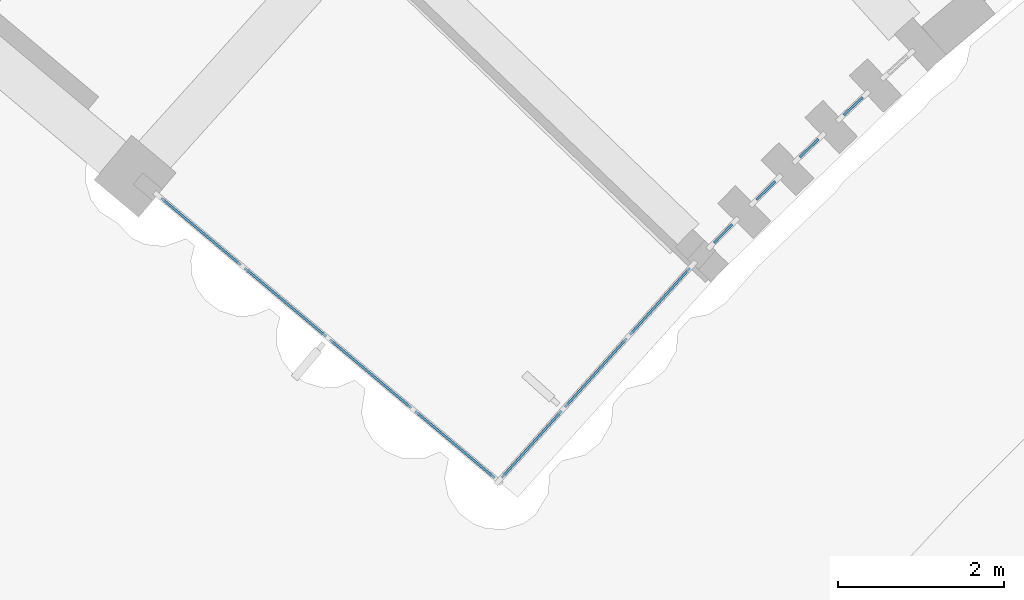
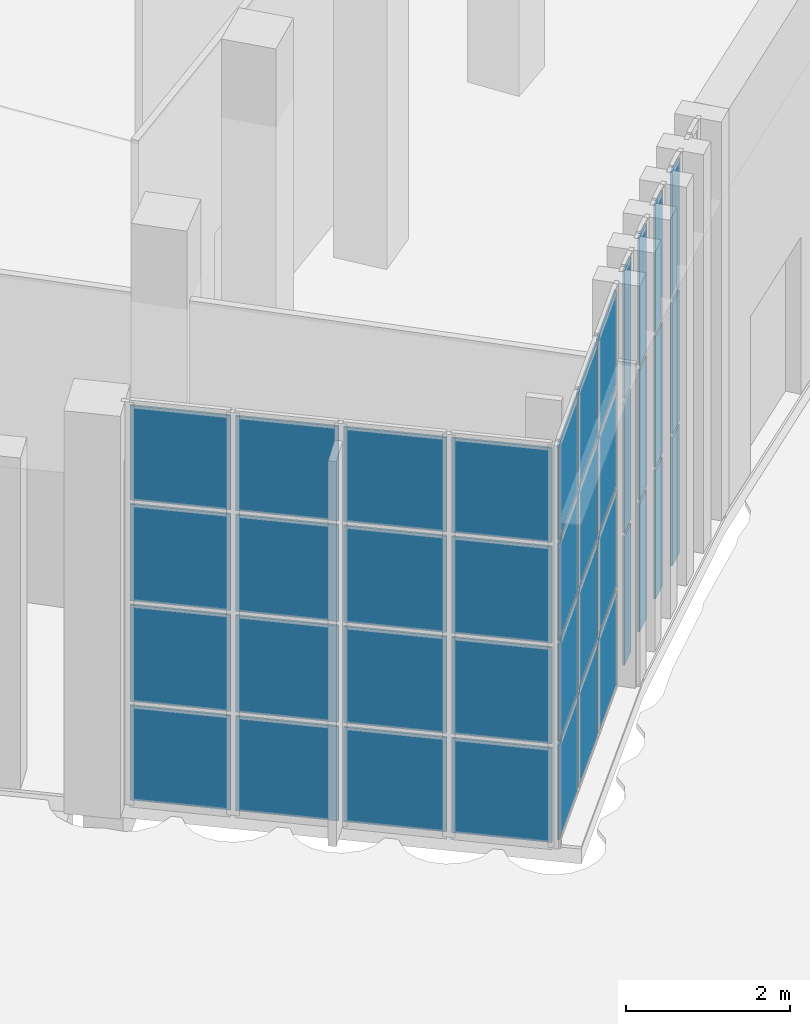
# One storey, part 71 of 155: 40 plates, 6 elements without a shape of their own.
"""IFC4 building model written with IfcOpenShell, lengths in metres."""

from ifc_helpers import new_model, si_unit, direction, frame, origin, origin_2d, place, context, subcontext, project, spatial, rectangle, extrude, material, layer, layer_set, type_object, element, aggregate, save


model = new_model("IFC4")

# Units and contexts
model_context = context("Model", 3, precision=1e-05, world=origin(), true_north=direction((0.0, 1.0)))
body_context = subcontext(model_context, "Body", "Model", "MODEL_VIEW")
ifc_project = project(units=[si_unit("LENGTHUNIT", "METRE"), si_unit("AREAUNIT", "SQUARE_METRE"), si_unit("VOLUMEUNIT", "CUBIC_METRE"), si_unit("PLANEANGLEUNIT", "RADIAN"), si_unit("MASSUNIT", "GRAM", prefix="KILO")], contexts=[model_context])

# Site, building, storey
site_placement = place(None, origin())
site = spatial("IfcSite", under=ifc_project, at=site_placement, CompositionType="ELEMENT")
building_placement = place(site_placement, origin())
building = spatial("IfcBuilding", under=site, at=building_placement, Name="Lunette Opera House", CompositionType="ELEMENT")
storey_placement = place(building_placement, origin())
storey = spatial("IfcBuildingStorey", under=building, at=storey_placement, Name="L00", CompositionType="ELEMENT", Elevation=0.0)

# Curtain wall, plates
ifc_material_1 = material(Name="Aluminium", Category="aluminium")
ifc_layer_1 = layer(ifc_material_1, 0.1201171875)
ifc_layer_set_1 = layer_set([ifc_layer_1], Name="Aluminium")
curtain_wall_type_1 = type_object("IfcCurtainWallType", Name="SLOT CURTAIN WALL", PredefinedType="NOTDEFINED", material=ifc_layer_set_1)
curtain_wall_1_placement = place(storey_placement, origin())
curtain_wall_1 = element("IfcCurtainWall", 1, at=curtain_wall_1_placement, inside=storey, type_object=curtain_wall_type_1, Name="Slot Curtain Wall CS001 L00", PredefinedType="NOTDEFINED")
ifc_material_2 = material(Name="Laminated glass", Category="glass")
ifc_layer_2 = layer(ifc_material_2, 0.028076171875)
ifc_layer_set_2 = layer_set([ifc_layer_2], Name="Laminated glass")
plate_type = type_object("IfcPlateType", Name="CURTAIN PANEL LAMINATED GLASS 28", PredefinedType="CURTAIN_PANEL", material=ifc_layer_set_2)
plate_1_placement = place(storey_placement, frame((58.633544921875, 36.592041015625, 0.06005859375), z_axis=(0.0, 0.0, 1.0), x_axis=(0.698932947796, 0.715187202406, 0.0)))
plate_1 = element("IfcPlate", 2, at=plate_1_placement, type_object=plate_type, Name="FC-X2001 panel 1.1", PredefinedType="CURTAIN_PANEL", context=body_context, shape_type="SweptSolid", body=[
    extrude(rectangle(XDim=0.310546875, YDim=0.028076171875, at=origin_2d()), origin(), (0.0, 0.0, 1.0), 1.909912109375),
])
plate_2_placement = place(storey_placement, frame((58.633544921875, 36.592041015625, 2.030029296875), z_axis=(0.0, 0.0, 1.0), x_axis=(0.698932947796, 0.715187202406, 0.0)))
plate_2 = element("IfcPlate", 3, at=plate_2_placement, type_object=plate_type, Name="FC-X2001 panel 1.2", PredefinedType="CURTAIN_PANEL", context=body_context, shape_type="SweptSolid", body=[
    extrude(rectangle(XDim=0.310546875, YDim=0.028076171875, at=origin_2d()), origin(), (0.0, 0.0, 1.0), 1.93994140625),
])
plate_3_placement = place(storey_placement, frame((58.633544921875, 36.592041015625, 4.0302734375), z_axis=(0.0, 0.0, 1.0), x_axis=(0.698932947796, 0.715187202406, 0.0)))
plate_3 = element("IfcPlate", 4, at=plate_3_placement, type_object=plate_type, Name="FC-X2001 panel 1.3", PredefinedType="CURTAIN_PANEL", context=body_context, shape_type="SweptSolid", body=[
    extrude(rectangle(XDim=0.310546875, YDim=0.028076171875, at=origin_2d()), origin(), (0.0, 0.0, 1.0), 1.909912109375),
])
aggregate(curtain_wall_1, [plate_1, plate_2, plate_3])

curtain_wall_2_placement = place(storey_placement, origin())
curtain_wall_2 = element("IfcCurtainWall", 5, at=curtain_wall_2_placement, inside=storey, type_object=curtain_wall_type_1, Name="Slot Curtain Wall CS002 L00", PredefinedType="NOTDEFINED")
plate_4_placement = place(storey_placement, frame((59.14794921875, 37.110595703125, 0.06005859375), z_axis=(0.0, 0.0, 1.0), x_axis=(0.710581444194, 0.703614959454, 0.0)))
plate_4 = element("IfcPlate", 6, at=plate_4_placement, type_object=plate_type, Name="FC-X2003 panel 1.1", PredefinedType="CURTAIN_PANEL", context=body_context, shape_type="SweptSolid", body=[
    extrude(rectangle(XDim=0.310546875, YDim=0.028076171875, at=origin_2d()), origin(), (0.0, 0.0, 1.0), 1.909912109375),
])
plate_5_placement = place(storey_placement, frame((59.14794921875, 37.110595703125, 2.030029296875), z_axis=(0.0, 0.0, 1.0), x_axis=(0.710581444194, 0.703614959454, 0.0)))
plate_5 = element("IfcPlate", 7, at=plate_5_placement, type_object=plate_type, Name="FC-X2003 panel 1.2", PredefinedType="CURTAIN_PANEL", context=body_context, shape_type="SweptSolid", body=[
    extrude(rectangle(XDim=0.310546875, YDim=0.028076171875, at=origin_2d()), origin(), (0.0, 0.0, 1.0), 1.93994140625),
])
plate_6_placement = place(storey_placement, frame((59.14794921875, 37.110595703125, 4.0302734375), z_axis=(0.0, 0.0, 1.0), x_axis=(0.710581444194, 0.703614959454, 0.0)))
plate_6 = element("IfcPlate", 8, at=plate_6_placement, type_object=plate_type, Name="FC-X2003 panel 1.3", PredefinedType="CURTAIN_PANEL", context=body_context, shape_type="SweptSolid", body=[
    extrude(rectangle(XDim=0.310546875, YDim=0.028076171875, at=origin_2d()), origin(), (0.0, 0.0, 1.0), 1.909912109375),
])
aggregate(curtain_wall_2, [plate_4, plate_5, plate_6])

curtain_wall_3_placement = place(storey_placement, origin())
curtain_wall_3 = element("IfcCurtainWall", 9, at=curtain_wall_3_placement, inside=storey, type_object=curtain_wall_type_1, Name="Slot Curtain Wall CS003 L00", PredefinedType="NOTDEFINED")
plate_7_placement = place(storey_placement, frame((59.66943359375, 37.62158203125, 0.06005859375), z_axis=(0.0, 0.0, 1.0), x_axis=(0.718639631775, 0.695382685751, 0.0)))
plate_7 = element("IfcPlate", 10, at=plate_7_placement, type_object=plate_type, Name="FC-X2005 panel 1.1", PredefinedType="CURTAIN_PANEL", context=body_context, shape_type="SweptSolid", body=[
    extrude(rectangle(XDim=0.31005859375, YDim=0.028076171875, at=origin_2d()), origin(), (0.0, 0.0, 1.0), 1.909912109375),
])
plate_8_placement = place(storey_placement, frame((59.66943359375, 37.62158203125, 2.030029296875), z_axis=(0.0, 0.0, 1.0), x_axis=(0.718639631775, 0.695382685751, 0.0)))
plate_8 = element("IfcPlate", 11, at=plate_8_placement, type_object=plate_type, Name="FC-X2005 panel 1.2", PredefinedType="CURTAIN_PANEL", context=body_context, shape_type="SweptSolid", body=[
    extrude(rectangle(XDim=0.31005859375, YDim=0.028076171875, at=origin_2d()), origin(), (0.0, 0.0, 1.0), 1.93994140625),
])
plate_9_placement = place(storey_placement, frame((59.66943359375, 37.62158203125, 4.0302734375), z_axis=(0.0, 0.0, 1.0), x_axis=(0.718639631775, 0.695382685751, 0.0)))
plate_9 = element("IfcPlate", 12, at=plate_9_placement, type_object=plate_type, Name="FC-X2005 panel 1.3", PredefinedType="CURTAIN_PANEL", context=body_context, shape_type="SweptSolid", body=[
    extrude(rectangle(XDim=0.31005859375, YDim=0.028076171875, at=origin_2d()), origin(), (0.0, 0.0, 1.0), 1.909912109375),
])
aggregate(curtain_wall_3, [plate_7, plate_8, plate_9])

curtain_wall_4_placement = place(storey_placement, origin())
curtain_wall_4 = element("IfcCurtainWall", 13, at=curtain_wall_4_placement, inside=storey, type_object=curtain_wall_type_1, Name="Slot Curtain Wall CS004 L00", PredefinedType="NOTDEFINED")
plate_10_placement = place(storey_placement, frame((60.198486328125, 38.12451171875, 0.06005859375), z_axis=(0.0, 0.0, 1.0), x_axis=(0.727722019527, 0.685872190933, 0.0)))
plate_10 = element("IfcPlate", 14, at=plate_10_placement, type_object=plate_type, Name="FC-X2007 panel 1.1", PredefinedType="CURTAIN_PANEL", context=body_context, shape_type="SweptSolid", body=[
    extrude(rectangle(XDim=0.31005859375, YDim=0.028076171875, at=origin_2d()), origin(), (0.0, 0.0, 1.0), 1.909912109375),
])
plate_11_placement = place(storey_placement, frame((60.198486328125, 38.12451171875, 2.030029296875), z_axis=(0.0, 0.0, 1.0), x_axis=(0.727722019527, 0.685872190933, 0.0)))
plate_11 = element("IfcPlate", 15, at=plate_11_placement, type_object=plate_type, Name="FC-X2007 panel 1.2", PredefinedType="CURTAIN_PANEL", context=body_context, shape_type="SweptSolid", body=[
    extrude(rectangle(XDim=0.31005859375, YDim=0.028076171875, at=origin_2d()), origin(), (0.0, 0.0, 1.0), 1.93994140625),
])
plate_12_placement = place(storey_placement, frame((60.198486328125, 38.12451171875, 4.0302734375), z_axis=(0.0, 0.0, 1.0), x_axis=(0.727722019527, 0.685872190933, 0.0)))
plate_12 = element("IfcPlate", 16, at=plate_12_placement, type_object=plate_type, Name="FC-X2007 panel 1.3", PredefinedType="CURTAIN_PANEL", context=body_context, shape_type="SweptSolid", body=[
    extrude(rectangle(XDim=0.31005859375, YDim=0.028076171875, at=origin_2d()), origin(), (0.0, 0.0, 1.0), 1.909912109375),
])
aggregate(curtain_wall_4, [plate_10, plate_11, plate_12])

ifc_material_3 = material(Name="Aluminium", Category="aluminium")
ifc_layer_3 = layer(ifc_material_3, 0.159912109375)
ifc_layer_set_3 = layer_set([ifc_layer_3], Name="Aluminium")
curtain_wall_type_2 = type_object("IfcCurtainWallType", Name="CORNER CURTAIN WALL", PredefinedType="NOTDEFINED", material=ifc_layer_set_3)
curtain_wall_5_placement = place(storey_placement, origin())
curtain_wall_5 = element("IfcCurtainWall", 17, at=curtain_wall_5_placement, inside=storey, type_object=curtain_wall_type_2, Name="Corner Curtain Wall GC-W1 L00", PredefinedType="NOTDEFINED")
plate_13_placement = place(storey_placement, frame((57.874267578125, 35.777587890625, 0.06005859375), z_axis=(0.0, 0.0, 1.0), x_axis=(-0.667938143615, -0.744216793887, 0.0)))
plate_13 = element("IfcPlate", 18, at=plate_13_placement, type_object=plate_type, Name="FC-X2161 panel 1.1", PredefinedType="CURTAIN_PANEL", context=body_context, shape_type="SweptSolid", body=[
    extrude(rectangle(XDim=1.07666015625, YDim=0.028076171875, at=origin_2d()), origin(), (0.0, 0.0, 1.0), 1.409912109375),
])
plate_14_placement = place(storey_placement, frame((57.874267578125, 35.777587890625, 1.530029296875), z_axis=(0.0, 0.0, 1.0), x_axis=(-0.667938143615, -0.744216793887, 0.0)))
plate_14 = element("IfcPlate", 19, at=plate_14_placement, type_object=plate_type, Name="FC-X2161 panel 1.2", PredefinedType="CURTAIN_PANEL", context=body_context, shape_type="SweptSolid", body=[
    extrude(rectangle(XDim=1.07666015625, YDim=0.028076171875, at=origin_2d()), origin(), (0.0, 0.0, 1.0), 1.43994140625),
])
plate_15_placement = place(storey_placement, frame((57.874267578125, 35.777587890625, 3.030029296875), z_axis=(0.0, 0.0, 1.0), x_axis=(-0.667938143615, -0.744216793887, 0.0)))
plate_15 = element("IfcPlate", 20, at=plate_15_placement, type_object=plate_type, Name="FC-X2161 panel 1.3", PredefinedType="CURTAIN_PANEL", context=body_context, shape_type="SweptSolid", body=[
    extrude(rectangle(XDim=1.07666015625, YDim=0.028076171875, at=origin_2d()), origin(), (0.0, 0.0, 1.0), 1.43994140625),
])
plate_16_placement = place(storey_placement, frame((57.874267578125, 35.777587890625, 4.5302734375), z_axis=(0.0, 0.0, 1.0), x_axis=(-0.667938143615, -0.744216793887, 0.0)))
plate_16 = element("IfcPlate", 21, at=plate_16_placement, type_object=plate_type, Name="FC-X2161 panel 1.4", PredefinedType="CURTAIN_PANEL", context=body_context, shape_type="SweptSolid", body=[
    extrude(rectangle(XDim=1.07666015625, YDim=0.028076171875, at=origin_2d()), origin(), (0.0, 0.0, 1.0), 1.409912109375),
])
plate_17_placement = place(storey_placement, frame((57.10498046875, 34.92041015625, 0.06005859375), z_axis=(0.0, 0.0, 1.0), x_axis=(-0.667938143615, -0.744216793887, 0.0)))
plate_17 = element("IfcPlate", 22, at=plate_17_placement, type_object=plate_type, Name="FC-X2161 panel 2.1", PredefinedType="CURTAIN_PANEL", context=body_context, shape_type="SweptSolid", body=[
    extrude(rectangle(XDim=1.106689453125, YDim=0.028076171875, at=origin_2d()), origin(), (0.0, 0.0, 1.0), 1.409912109375),
])
plate_18_placement = place(storey_placement, frame((57.10498046875, 34.92041015625, 1.530029296875), z_axis=(0.0, 0.0, 1.0), x_axis=(-0.667938143615, -0.744216793887, 0.0)))
plate_18 = element("IfcPlate", 23, at=plate_18_placement, type_object=plate_type, Name="FC-X2161 panel 2.2", PredefinedType="CURTAIN_PANEL", context=body_context, shape_type="SweptSolid", body=[
    extrude(rectangle(XDim=1.106689453125, YDim=0.028076171875, at=origin_2d()), origin(), (0.0, 0.0, 1.0), 1.43994140625),
])
plate_19_placement = place(storey_placement, frame((57.10498046875, 34.92041015625, 3.030029296875), z_axis=(0.0, 0.0, 1.0), x_axis=(-0.667938143615, -0.744216793887, 0.0)))
plate_19 = element("IfcPlate", 24, at=plate_19_placement, type_object=plate_type, Name="FC-X2161 panel 2.3", PredefinedType="CURTAIN_PANEL", context=body_context, shape_type="SweptSolid", body=[
    extrude(rectangle(XDim=1.106689453125, YDim=0.028076171875, at=origin_2d()), origin(), (0.0, 0.0, 1.0), 1.43994140625),
])
plate_20_placement = place(storey_placement, frame((57.10498046875, 34.92041015625, 4.5302734375), z_axis=(0.0, 0.0, 1.0), x_axis=(-0.667938143615, -0.744216793887, 0.0)))
plate_20 = element("IfcPlate", 25, at=plate_20_placement, type_object=plate_type, Name="FC-X2161 panel 2.4", PredefinedType="CURTAIN_PANEL", context=body_context, shape_type="SweptSolid", body=[
    extrude(rectangle(XDim=1.106689453125, YDim=0.028076171875, at=origin_2d()), origin(), (0.0, 0.0, 1.0), 1.409912109375),
])
plate_21_placement = place(storey_placement, frame((56.335693359375, 34.063232421875, 0.06005859375), z_axis=(0.0, 0.0, 1.0), x_axis=(-0.667938143615, -0.744216793887, 0.0)))
plate_21 = element("IfcPlate", 26, at=plate_21_placement, type_object=plate_type, Name="FC-X2161 panel 3.1", PredefinedType="CURTAIN_PANEL", context=body_context, shape_type="SweptSolid", body=[
    extrude(rectangle(XDim=1.07666015625, YDim=0.028076171875, at=origin_2d()), origin(), (0.0, 0.0, 1.0), 1.409912109375),
])
plate_22_placement = place(storey_placement, frame((56.335693359375, 34.063232421875, 1.530029296875), z_axis=(0.0, 0.0, 1.0), x_axis=(-0.667938143615, -0.744216793887, 0.0)))
plate_22 = element("IfcPlate", 27, at=plate_22_placement, type_object=plate_type, Name="FC-X2161 panel 3.2", PredefinedType="CURTAIN_PANEL", context=body_context, shape_type="SweptSolid", body=[
    extrude(rectangle(XDim=1.07666015625, YDim=0.028076171875, at=origin_2d()), origin(), (0.0, 0.0, 1.0), 1.43994140625),
])
plate_23_placement = place(storey_placement, frame((56.335693359375, 34.063232421875, 3.030029296875), z_axis=(0.0, 0.0, 1.0), x_axis=(-0.667938143615, -0.744216793887, 0.0)))
plate_23 = element("IfcPlate", 28, at=plate_23_placement, type_object=plate_type, Name="FC-X2161 panel 3.3", PredefinedType="CURTAIN_PANEL", context=body_context, shape_type="SweptSolid", body=[
    extrude(rectangle(XDim=1.07666015625, YDim=0.028076171875, at=origin_2d()), origin(), (0.0, 0.0, 1.0), 1.43994140625),
])
plate_24_placement = place(storey_placement, frame((56.335693359375, 34.063232421875, 4.5302734375), z_axis=(0.0, 0.0, 1.0), x_axis=(-0.667938143615, -0.744216793887, 0.0)))
plate_24 = element("IfcPlate", 29, at=plate_24_placement, type_object=plate_type, Name="FC-X2161 panel 3.4", PredefinedType="CURTAIN_PANEL", context=body_context, shape_type="SweptSolid", body=[
    extrude(rectangle(XDim=1.07666015625, YDim=0.028076171875, at=origin_2d()), origin(), (0.0, 0.0, 1.0), 1.409912109375),
])
aggregate(curtain_wall_5, [plate_13, plate_14, plate_15, plate_16, plate_17, plate_18, plate_19, plate_20, plate_21, plate_22, plate_23, plate_24])

curtain_wall_6_placement = place(storey_placement, origin())
curtain_wall_6 = element("IfcCurtainWall", 30, at=curtain_wall_6_placement, inside=storey, type_object=curtain_wall_type_2, Name="Corner Curtain Wall GC-W2 L00", PredefinedType="NOTDEFINED")
plate_25_placement = place(storey_placement, frame((55.412353515625, 34.0576171875, 0.06005859375), z_axis=(0.0, 0.0, 1.0), x_axis=(-0.766010413212, 0.64282816277, 0.0)))
plate_25 = element("IfcPlate", 31, at=plate_25_placement, type_object=plate_type, Name="FC-X2162 panel 1.1", PredefinedType="CURTAIN_PANEL", context=body_context, shape_type="SweptSolid", body=[
    extrude(rectangle(XDim=1.24755859375, YDim=0.028076171875, at=origin_2d()), origin(), (0.0, 0.0, 1.0), 1.409912109375),
])
plate_26_placement = place(storey_placement, frame((55.412353515625, 34.0576171875, 1.530029296875), z_axis=(0.0, 0.0, 1.0), x_axis=(-0.766010413212, 0.64282816277, 0.0)))
plate_26 = element("IfcPlate", 32, at=plate_26_placement, type_object=plate_type, Name="FC-X2162 panel 1.2", PredefinedType="CURTAIN_PANEL", context=body_context, shape_type="SweptSolid", body=[
    extrude(rectangle(XDim=1.24755859375, YDim=0.028076171875, at=origin_2d()), origin(), (0.0, 0.0, 1.0), 1.43994140625),
])
plate_27_placement = place(storey_placement, frame((55.412353515625, 34.0576171875, 3.030029296875), z_axis=(0.0, 0.0, 1.0), x_axis=(-0.766010413212, 0.64282816277, 0.0)))
plate_27 = element("IfcPlate", 33, at=plate_27_placement, type_object=plate_type, Name="FC-X2162 panel 1.3", PredefinedType="CURTAIN_PANEL", context=body_context, shape_type="SweptSolid", body=[
    extrude(rectangle(XDim=1.24755859375, YDim=0.028076171875, at=origin_2d()), origin(), (0.0, 0.0, 1.0), 1.43994140625),
])
plate_28_placement = place(storey_placement, frame((55.412353515625, 34.0576171875, 4.5302734375), z_axis=(0.0, 0.0, 1.0), x_axis=(-0.766010413212, 0.64282816277, 0.0)))
plate_28 = element("IfcPlate", 34, at=plate_28_placement, type_object=plate_type, Name="FC-X2162 panel 1.4", PredefinedType="CURTAIN_PANEL", context=body_context, shape_type="SweptSolid", body=[
    extrude(rectangle(XDim=1.24755859375, YDim=0.028076171875, at=origin_2d()), origin(), (0.0, 0.0, 1.0), 1.409912109375),
])
plate_29_placement = place(storey_placement, frame((54.399169921875, 34.90771484375, 0.06005859375), z_axis=(0.0, 0.0, 1.0), x_axis=(-0.766010413212, 0.64282816277, 0.0)))
plate_29 = element("IfcPlate", 35, at=plate_29_placement, type_object=plate_type, Name="FC-X2162 panel 2.1", PredefinedType="CURTAIN_PANEL", context=body_context, shape_type="SweptSolid", body=[
    extrude(rectangle(XDim=1.27734375, YDim=0.028076171875, at=origin_2d()), origin(), (0.0, 0.0, 1.0), 1.409912109375),
])
plate_30_placement = place(storey_placement, frame((54.399169921875, 34.90771484375, 1.530029296875), z_axis=(0.0, 0.0, 1.0), x_axis=(-0.766010413212, 0.64282816277, 0.0)))
plate_30 = element("IfcPlate", 36, at=plate_30_placement, type_object=plate_type, Name="FC-X2162 panel 2.2", PredefinedType="CURTAIN_PANEL", context=body_context, shape_type="SweptSolid", body=[
    extrude(rectangle(XDim=1.27734375, YDim=0.028076171875, at=origin_2d()), origin(), (0.0, 0.0, 1.0), 1.43994140625),
])
plate_31_placement = place(storey_placement, frame((54.399169921875, 34.90771484375, 3.030029296875), z_axis=(0.0, 0.0, 1.0), x_axis=(-0.766010413212, 0.64282816277, 0.0)))
plate_31 = element("IfcPlate", 37, at=plate_31_placement, type_object=plate_type, Name="FC-X2162 panel 2.3", PredefinedType="CURTAIN_PANEL", context=body_context, shape_type="SweptSolid", body=[
    extrude(rectangle(XDim=1.27734375, YDim=0.028076171875, at=origin_2d()), origin(), (0.0, 0.0, 1.0), 1.43994140625),
])
plate_32_placement = place(storey_placement, frame((54.399169921875, 34.90771484375, 4.5302734375), z_axis=(0.0, 0.0, 1.0), x_axis=(-0.766010413212, 0.64282816277, 0.0)))
plate_32 = element("IfcPlate", 38, at=plate_32_placement, type_object=plate_type, Name="FC-X2162 panel 2.4", PredefinedType="CURTAIN_PANEL", context=body_context, shape_type="SweptSolid", body=[
    extrude(rectangle(XDim=1.27734375, YDim=0.028076171875, at=origin_2d()), origin(), (0.0, 0.0, 1.0), 1.409912109375),
])
plate_33_placement = place(storey_placement, frame((53.374755859375, 35.767333984375, 0.06005859375), z_axis=(0.0, 0.0, 1.0), x_axis=(-0.766010413212, 0.64282816277, 0.0)))
plate_33 = element("IfcPlate", 39, at=plate_33_placement, type_object=plate_type, Name="FC-X2162 panel 3.1", PredefinedType="CURTAIN_PANEL", context=body_context, shape_type="SweptSolid", body=[
    extrude(rectangle(XDim=1.27734375, YDim=0.028076171875, at=origin_2d()), origin(), (0.0, 0.0, 1.0), 1.409912109375),
])
plate_34_placement = place(storey_placement, frame((53.374755859375, 35.767333984375, 1.530029296875), z_axis=(0.0, 0.0, 1.0), x_axis=(-0.766010413212, 0.64282816277, 0.0)))
plate_34 = element("IfcPlate", 40, at=plate_34_placement, type_object=plate_type, Name="FC-X2162 panel 3.2", PredefinedType="CURTAIN_PANEL", context=body_context, shape_type="SweptSolid", body=[
    extrude(rectangle(XDim=1.27734375, YDim=0.028076171875, at=origin_2d()), origin(), (0.0, 0.0, 1.0), 1.43994140625),
])
plate_35_placement = place(storey_placement, frame((53.374755859375, 35.767333984375, 3.030029296875), z_axis=(0.0, 0.0, 1.0), x_axis=(-0.766010413212, 0.64282816277, 0.0)))
plate_35 = element("IfcPlate", 41, at=plate_35_placement, type_object=plate_type, Name="FC-X2162 panel 3.3", PredefinedType="CURTAIN_PANEL", context=body_context, shape_type="SweptSolid", body=[
    extrude(rectangle(XDim=1.27734375, YDim=0.028076171875, at=origin_2d()), origin(), (0.0, 0.0, 1.0), 1.43994140625),
])
plate_36_placement = place(storey_placement, frame((53.374755859375, 35.767333984375, 4.5302734375), z_axis=(0.0, 0.0, 1.0), x_axis=(-0.766010413212, 0.64282816277, 0.0)))
plate_36 = element("IfcPlate", 42, at=plate_36_placement, type_object=plate_type, Name="FC-X2162 panel 3.4", PredefinedType="CURTAIN_PANEL", context=body_context, shape_type="SweptSolid", body=[
    extrude(rectangle(XDim=1.27734375, YDim=0.028076171875, at=origin_2d()), origin(), (0.0, 0.0, 1.0), 1.409912109375),
])
plate_37_placement = place(storey_placement, frame((52.36181640625, 36.617431640625, 0.06005859375), z_axis=(0.0, 0.0, 1.0), x_axis=(-0.766010413212, 0.64282816277, 0.0)))
plate_37 = element("IfcPlate", 43, at=plate_37_placement, type_object=plate_type, Name="FC-X2162 panel 4.1", PredefinedType="CURTAIN_PANEL", context=body_context, shape_type="SweptSolid", body=[
    extrude(rectangle(XDim=1.24755859375, YDim=0.028076171875, at=origin_2d()), origin(), (0.0, 0.0, 1.0), 1.409912109375),
])
plate_38_placement = place(storey_placement, frame((52.36181640625, 36.617431640625, 1.530029296875), z_axis=(0.0, 0.0, 1.0), x_axis=(-0.766010413212, 0.64282816277, 0.0)))
plate_38 = element("IfcPlate", 44, at=plate_38_placement, type_object=plate_type, Name="FC-X2162 panel 4.2", PredefinedType="CURTAIN_PANEL", context=body_context, shape_type="SweptSolid", body=[
    extrude(rectangle(XDim=1.24755859375, YDim=0.028076171875, at=origin_2d()), origin(), (0.0, 0.0, 1.0), 1.43994140625),
])
plate_39_placement = place(storey_placement, frame((52.36181640625, 36.617431640625, 3.030029296875), z_axis=(0.0, 0.0, 1.0), x_axis=(-0.766010413212, 0.64282816277, 0.0)))
plate_39 = element("IfcPlate", 45, at=plate_39_placement, type_object=plate_type, Name="FC-X2162 panel 4.3", PredefinedType="CURTAIN_PANEL", context=body_context, shape_type="SweptSolid", body=[
    extrude(rectangle(XDim=1.24755859375, YDim=0.028076171875, at=origin_2d()), origin(), (0.0, 0.0, 1.0), 1.43994140625),
])
plate_40_placement = place(storey_placement, frame((52.36181640625, 36.617431640625, 4.5302734375), z_axis=(0.0, 0.0, 1.0), x_axis=(-0.766010413212, 0.64282816277, 0.0)))
plate_40 = element("IfcPlate", 46, at=plate_40_placement, type_object=plate_type, Name="FC-X2162 panel 4.4", PredefinedType="CURTAIN_PANEL", context=body_context, shape_type="SweptSolid", body=[
    extrude(rectangle(XDim=1.24755859375, YDim=0.028076171875, at=origin_2d()), origin(), (0.0, 0.0, 1.0), 1.409912109375),
])
aggregate(curtain_wall_6, [plate_25, plate_26, plate_27, plate_28, plate_29, plate_30, plate_31, plate_32, plate_33, plate_34, plate_35, plate_36, plate_37, plate_38, plate_39, plate_40])

save(model, "model.ifc")
